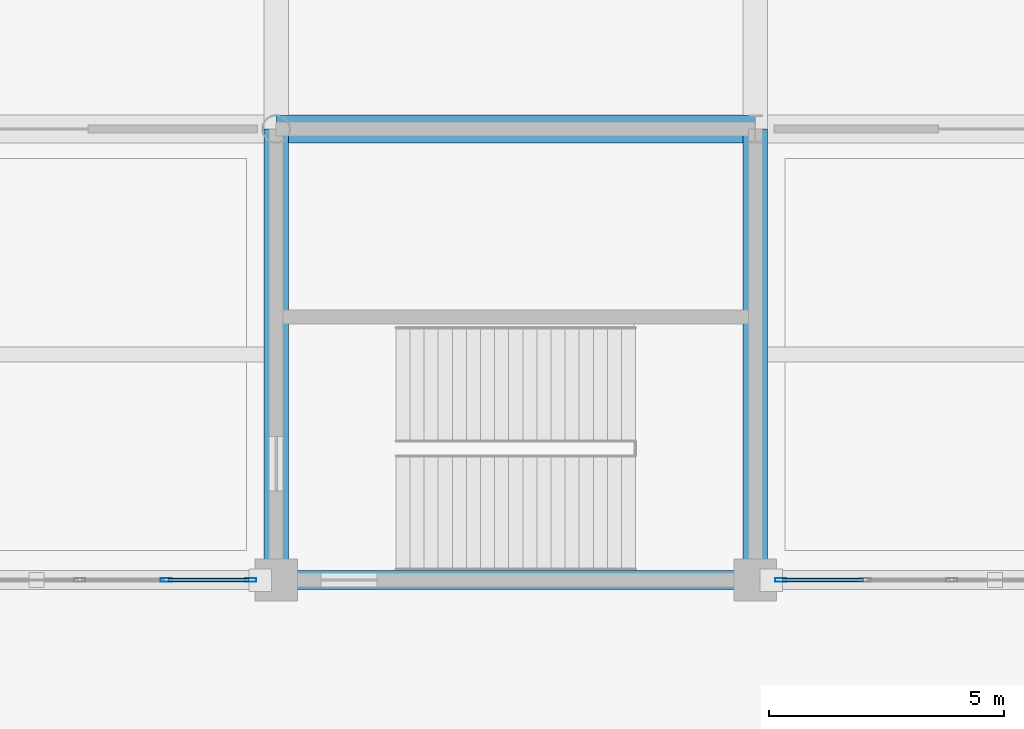
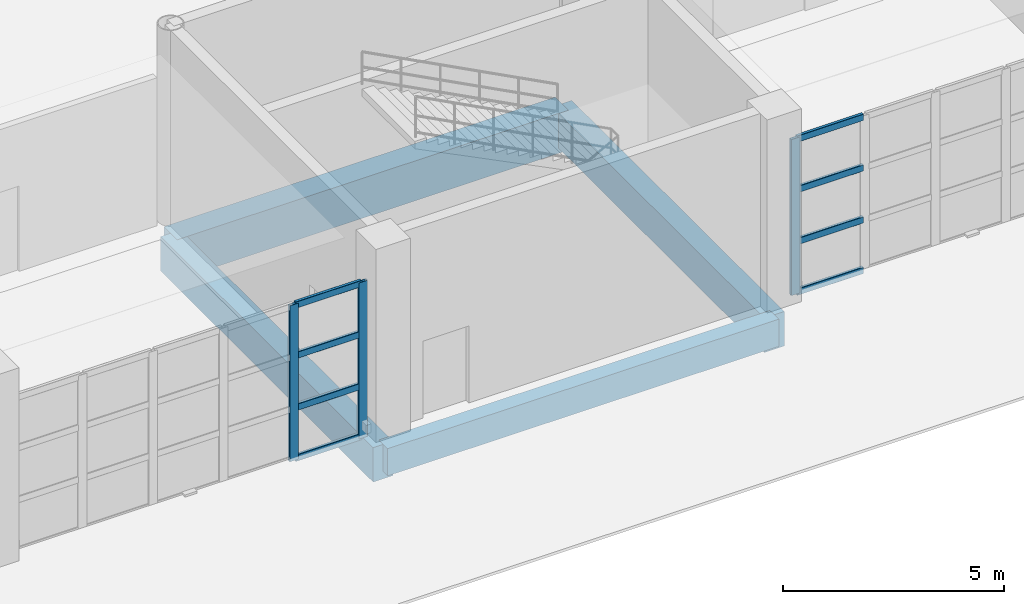
# One storey, part 32 of 124: 11 members, 4 beams, 2 elements without a shape of their own.
"""IFC4 building model written with IfcOpenShell, lengths in metres."""

from ifc_helpers import new_model, si_unit, direction, frame, origin, origin_2d, place, context, subcontext, project, spatial, rectangle, hollow_rectangle, extrude, material, material_profile, profile_set, type_object, element, aggregate, save


model = new_model("IFC4")

# Units and contexts
model_context = context("Model", 3, precision=1e-05, world=origin(), true_north=direction((0.0, 1.0)))
body_context = subcontext(model_context, "Body", "Model", "MODEL_VIEW")
ifc_project = project(units=[si_unit("LENGTHUNIT", "METRE"), si_unit("AREAUNIT", "SQUARE_METRE"), si_unit("VOLUMEUNIT", "CUBIC_METRE"), si_unit("PLANEANGLEUNIT", "RADIAN"), si_unit("MASSUNIT", "GRAM", prefix="KILO")], contexts=[model_context])

# Site, building, storey
site_placement = place(None, origin())
site = spatial("IfcSite", under=ifc_project, at=site_placement, CompositionType="ELEMENT")
building_placement = place(site_placement, origin())
building = spatial("IfcBuilding", under=site, at=building_placement, Name="Brelvane Convention Centre", CompositionType="ELEMENT")
storey_placement = place(building_placement, origin())
storey = spatial("IfcBuildingStorey", under=building, at=storey_placement, Name="L00", CompositionType="ELEMENT", Elevation=0.0)

# Curtain wall, members
ifc_material_1 = material(Name="Anodised Aluminium Alloy 6063-T6", Category="aluminium")
curtain_wall_type = type_object("IfcCurtainWallType", Name="Curtain Wall CW-CONC", PredefinedType="USERDEFINED", material=ifc_material_1)
curtain_wall_1_placement = place(storey_placement, origin())
curtain_wall_1 = element("IfcCurtainWall", 1, at=curtain_wall_1_placement, inside=storey, type_object=curtain_wall_type, Name="Curtain Wall CW-CONC L00-V1S-08", ObjectType="UNITISED", PredefinedType="USERDEFINED")
ifc_material_2 = material(Name="Anodised Aluminium Alloy 6063-T6", Category="aluminium")
ifc_material_profile_1 = material_profile(ifc_material_2, hollow_rectangle(XDim=0.080078125, YDim=0.239990234375, WallThickness=0.006103515625, InnerFilletRadius=0.006103515625, OuterFilletRadius=0.011962890625, at=origin_2d()), Name="ALU-M 240x80x6.0")
ifc_profile_set_1 = profile_set([ifc_material_profile_1], Name="Anodised Aluminium Alloy 6063-T6")
member_type_1 = type_object("IfcMemberType", Name="Curtain Mullion CW-M1", PredefinedType="MULLION", material=ifc_profile_set_1)
member_1_placement = place(storey_placement, frame((79.260009765625, 19.199951171875, 0.0), z_axis=(0.0, 0.0, 1.0), x_axis=(0.0, 1.0, 0.0)))
member_1 = element("IfcMember", 2, at=member_1_placement, type_object=member_type_1, Name="CW-CONC mullion 5", PredefinedType="MULLION", context=body_context, shape_type="SweptSolid", body=[
    extrude(hollow_rectangle(XDim=0.080078125, YDim=0.239990234375, WallThickness=0.006103515625, InnerFilletRadius=0.006103515625, OuterFilletRadius=0.011962890625, at=origin_2d()), origin(), (0.0, 0.0, 1.0), 4.300048828125),
])
member_2_placement = place(storey_placement, frame((81.06005859375, 19.199951171875, 0.0), z_axis=(0.0, 0.0, 1.0), x_axis=(0.0, 1.0, 0.0)))
member_2 = element("IfcMember", 3, at=member_2_placement, type_object=member_type_1, Name="CW-CONC mullion 6", PredefinedType="MULLION", context=body_context, shape_type="SweptSolid", body=[
    extrude(hollow_rectangle(XDim=0.080078125, YDim=0.239990234375, WallThickness=0.006103515625, InnerFilletRadius=0.006103515625, OuterFilletRadius=0.011962890625, at=origin_2d()), origin(), (0.0, 0.0, 1.0), 4.300048828125),
])

# Curtain wall, member
curtain_wall_2_placement = place(storey_placement, origin())
curtain_wall_2 = element("IfcCurtainWall", 4, at=curtain_wall_2_placement, inside=storey, type_object=curtain_wall_type, Name="Curtain Wall CW-CONC L00-V1S-10", ObjectType="UNITISED", PredefinedType="USERDEFINED")
member_3_placement = place(storey_placement, frame((92.340087890625, 19.199951171875, 0.0), z_axis=(0.0, 0.0, 1.0), x_axis=(0.0, 1.0, 0.0)))
member_3 = element("IfcMember", 5, at=member_3_placement, type_object=member_type_1, Name="CW-CONC mullion 1", PredefinedType="MULLION", context=body_context, shape_type="SweptSolid", body=[
    extrude(hollow_rectangle(XDim=0.080078125, YDim=0.239990234375, WallThickness=0.006103515625, InnerFilletRadius=0.006103515625, OuterFilletRadius=0.011962890625, at=origin_2d()), origin(), (0.0, 0.0, 1.0), 4.300048828125),
])

# Member
ifc_material_3 = material(Name="Anodised Aluminium Alloy 6063-T6", Category="aluminium")
ifc_material_profile_2 = material_profile(ifc_material_3, hollow_rectangle(XDim=0.080078125, YDim=0.179931640625, WallThickness=0.0048828125, InnerFilletRadius=0.0048828125, OuterFilletRadius=0.010009765625, at=origin_2d()), Name="ALU-T 180x80x5.0")
ifc_profile_set_2 = profile_set([ifc_material_profile_2], Name="Anodised Aluminium Alloy 6063-T6")
member_type_2 = type_object("IfcMemberType", Name="Curtain Transom CW-T1", PredefinedType="USERDEFINED", material=ifc_profile_set_2)
member_4_placement = place(storey_placement, frame((79.300048828125, 19.199951171875, 0.0400390625), z_axis=(1.0, 0.0, 0.0), x_axis=(0.0, 1.0, 0.0)))
member_4 = element("IfcMember", 6, at=member_4_placement, type_object=member_type_2, Name="CW-CONC transom 5.1", ObjectType="TRANSOM", PredefinedType="USERDEFINED", context=body_context, shape_type="SweptSolid", body=[
    extrude(hollow_rectangle(XDim=0.080078125, YDim=0.179931640625, WallThickness=0.0048828125, InnerFilletRadius=0.0048828125, OuterFilletRadius=0.010009765625, at=origin_2d()), origin(), (0.0, 0.0, 1.0), 1.719970703125),
])

member_5_placement = place(storey_placement, frame((79.300048828125, 19.199951171875, 1.433349609375), z_axis=(1.0, 0.0, 0.0), x_axis=(0.0, 1.0, 0.0)))
member_5 = element("IfcMember", 7, at=member_5_placement, type_object=member_type_2, Name="CW-CONC transom 5.2", ObjectType="TRANSOM", PredefinedType="USERDEFINED", context=body_context, shape_type="SweptSolid", body=[
    extrude(hollow_rectangle(XDim=0.080078125, YDim=0.179931640625, WallThickness=0.0048828125, InnerFilletRadius=0.0048828125, OuterFilletRadius=0.010009765625, at=origin_2d()), origin(), (0.0, 0.0, 1.0), 1.719970703125),
])

member_6_placement = place(storey_placement, frame((79.300048828125, 19.199951171875, 2.86669921875), z_axis=(1.0, 0.0, 0.0), x_axis=(0.0, 1.0, 0.0)))
member_6 = element("IfcMember", 8, at=member_6_placement, type_object=member_type_2, Name="CW-CONC transom 5.3", ObjectType="TRANSOM", PredefinedType="USERDEFINED", context=body_context, shape_type="SweptSolid", body=[
    extrude(hollow_rectangle(XDim=0.080078125, YDim=0.179931640625, WallThickness=0.0048828125, InnerFilletRadius=0.0048828125, OuterFilletRadius=0.010009765625, at=origin_2d()), origin(), (0.0, 0.0, 1.0), 1.719970703125),
])

member_7_placement = place(storey_placement, frame((79.300048828125, 19.199951171875, 4.260009765625), z_axis=(1.0, 0.0, 0.0), x_axis=(0.0, 1.0, 0.0)))
member_7 = element("IfcMember", 9, at=member_7_placement, type_object=member_type_2, Name="CW-CONC transom 5.4", ObjectType="TRANSOM", PredefinedType="USERDEFINED", context=body_context, shape_type="SweptSolid", body=[
    extrude(hollow_rectangle(XDim=0.080078125, YDim=0.179931640625, WallThickness=0.0048828125, InnerFilletRadius=0.0048828125, OuterFilletRadius=0.010009765625, at=origin_2d()), origin(), (0.0, 0.0, 1.0), 1.719970703125),
])

aggregate(curtain_wall_1, [member_1, member_2, member_4, member_5, member_6, member_7])

member_8_placement = place(storey_placement, frame((92.3798828125, 19.199951171875, 0.0400390625), z_axis=(1.0, 0.0, 0.0), x_axis=(0.0, 1.0, 0.0)))
member_8 = element("IfcMember", 10, at=member_8_placement, type_object=member_type_2, Name="CW-CONC transom 1.1", ObjectType="TRANSOM", PredefinedType="USERDEFINED", context=body_context, shape_type="SweptSolid", body=[
    extrude(hollow_rectangle(XDim=0.080078125, YDim=0.179931640625, WallThickness=0.0048828125, InnerFilletRadius=0.0048828125, OuterFilletRadius=0.010009765625, at=origin_2d()), origin(), (0.0, 0.0, 1.0), 1.72021484375),
])

member_9_placement = place(storey_placement, frame((92.3798828125, 19.199951171875, 1.433349609375), z_axis=(1.0, 0.0, 0.0), x_axis=(0.0, 1.0, 0.0)))
member_9 = element("IfcMember", 11, at=member_9_placement, type_object=member_type_2, Name="CW-CONC transom 1.2", ObjectType="TRANSOM", PredefinedType="USERDEFINED", context=body_context, shape_type="SweptSolid", body=[
    extrude(hollow_rectangle(XDim=0.080078125, YDim=0.179931640625, WallThickness=0.0048828125, InnerFilletRadius=0.0048828125, OuterFilletRadius=0.010009765625, at=origin_2d()), origin(), (0.0, 0.0, 1.0), 1.72021484375),
])

member_10_placement = place(storey_placement, frame((92.3798828125, 19.199951171875, 2.86669921875), z_axis=(1.0, 0.0, 0.0), x_axis=(0.0, 1.0, 0.0)))
member_10 = element("IfcMember", 12, at=member_10_placement, type_object=member_type_2, Name="CW-CONC transom 1.3", ObjectType="TRANSOM", PredefinedType="USERDEFINED", context=body_context, shape_type="SweptSolid", body=[
    extrude(hollow_rectangle(XDim=0.080078125, YDim=0.179931640625, WallThickness=0.0048828125, InnerFilletRadius=0.0048828125, OuterFilletRadius=0.010009765625, at=origin_2d()), origin(), (0.0, 0.0, 1.0), 1.72021484375),
])

member_11_placement = place(storey_placement, frame((92.3798828125, 19.199951171875, 4.260009765625), z_axis=(1.0, 0.0, 0.0), x_axis=(0.0, 1.0, 0.0)))
member_11 = element("IfcMember", 13, at=member_11_placement, type_object=member_type_2, Name="CW-CONC transom 1.4", ObjectType="TRANSOM", PredefinedType="USERDEFINED", context=body_context, shape_type="SweptSolid", body=[
    extrude(hollow_rectangle(XDim=0.080078125, YDim=0.179931640625, WallThickness=0.0048828125, InnerFilletRadius=0.0048828125, OuterFilletRadius=0.010009765625, at=origin_2d()), origin(), (0.0, 0.0, 1.0), 1.72021484375),
])

aggregate(curtain_wall_2, [member_3, member_8, member_9, member_10, member_11])

# Beams
ifc_material_4 = material(Name="Concrete M50", Category="concrete")
ifc_material_profile_3 = material_profile(ifc_material_4, rectangle(XDim=0.60009765625, YDim=1.10009765625, at=origin_2d()), Name="RC 600x1100")
ifc_profile_set_3 = profile_set([ifc_material_profile_3], Name="Concrete M50")
beam_type_1 = type_object("IfcBeamType", Name="RC Beam B-RC2 (RC 600x1100)", PredefinedType="BEAM", material=ifc_profile_set_3)
beam_1_placement = place(storey_placement, frame((81.60009765625, 28.800048828125, -0.949951171875), z_axis=(1.0, 0.0, 0.0), x_axis=(0.0, 1.0, 0.0)))
element("IfcBeam", 14, at=beam_1_placement, inside=storey, type_object=beam_type_1, Name="L00 Beam 9-10/D", PredefinedType="BEAM", context=body_context, shape_type="SweptSolid", body=[
    extrude(rectangle(XDim=0.60009765625, YDim=1.10009765625, at=origin_2d()), origin(), (0.0, 0.0, 1.0), 10.199951171875),
])
ifc_material_5 = material(Name="Concrete M50", Category="concrete")
ifc_material_profile_4 = material_profile(ifc_material_5, rectangle(XDim=0.52001953125, YDim=0.949951171875, at=origin_2d()), Name="RC 520x950")
ifc_profile_set_4 = profile_set([ifc_material_profile_4], Name="Concrete M50")
beam_type_2 = type_object("IfcBeamType", Name="RC Beam B-RC9 (RC 520x950)", PredefinedType="BEAM", material=ifc_profile_set_4)
for number, where, z_axis, x_axis, name in (
    (15, (81.60009765625, 19.199951171875, -0.875), (0.0, 1.0, 0.0), (-1.0, 0.0, 0.0), "L00 Girder 9/C-D"),
    (16, (91.800048828125, 19.199951171875, -0.875), (0.0, 1.0, 0.0), (-1.0, 0.0, 0.0), "L00 Girder 10/C-D"),
):
    element("IfcBeam", number, at=place(storey_placement, frame(where, z_axis=z_axis, x_axis=x_axis)), inside=storey, type_object=beam_type_2, Name=name, PredefinedType="BEAM", context=body_context, shape_type="SweptSolid", body=[
        extrude(rectangle(XDim=0.52001953125, YDim=0.949951171875, at=origin_2d()), origin(), (0.0, 0.0, 1.0), 9.60009765625),
    ])
ifc_material_6 = material(Name="Concrete M40", Category="concrete")
ifc_material_profile_5 = material_profile(ifc_material_6, rectangle(XDim=0.39990234375, YDim=0.75, at=origin_2d()), Name="RC 400x750")
ifc_profile_set_5 = profile_set([ifc_material_profile_5], Name="Concrete M40")
beam_type_3 = type_object("IfcBeamType", Name="RC Spandrel SP-RC1 (RC 400x750)", PredefinedType="SPANDREL", material=ifc_profile_set_5)
beam_2_placement = place(storey_placement, frame((81.60009765625, 19.199951171875, -0.77490234375), z_axis=(1.0, 0.0, 0.0), x_axis=(0.0, 1.0, 0.0)))
element("IfcBeam", 17, at=beam_2_placement, inside=storey, type_object=beam_type_3, Name="L00 Beam 9-10/C", PredefinedType="SPANDREL", context=body_context, shape_type="SweptSolid", body=[
    extrude(rectangle(XDim=0.39990234375, YDim=0.75, at=origin_2d()), origin(), (0.0, 0.0, 1.0), 10.199951171875),
])

save(model, "model.ifc")
